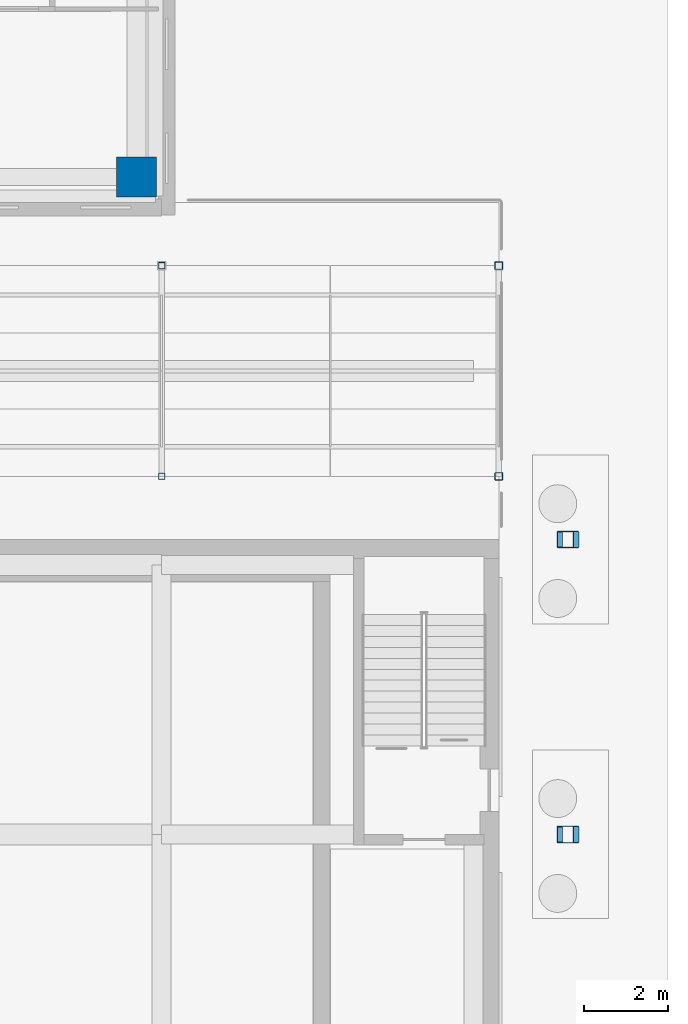
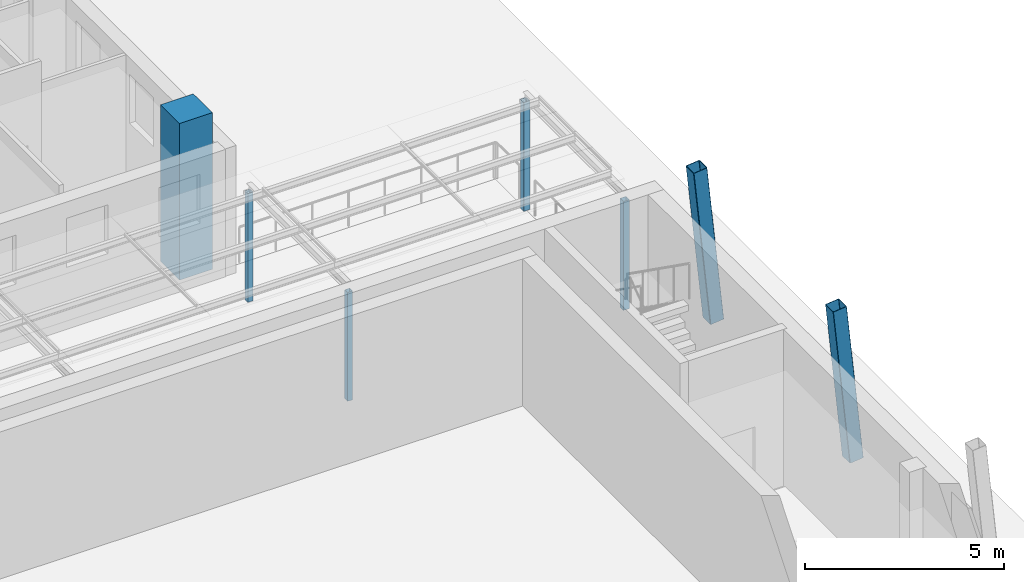
# One storey, part 19 of 144: 7 columns.
"""IFC4 building model written with IfcOpenShell, lengths in metres."""

from ifc_helpers import new_model, si_unit, direction, frame, origin, origin_2d, place, context, subcontext, project, spatial, rectangle, hollow_rectangle, extrude, material, material_profile, profile_set, type_object, element, save


model = new_model("IFC4")

# Units and contexts
model_context = context("Model", 3, precision=1e-05, world=origin(), true_north=direction((0.0, 1.0)))
body_context = subcontext(model_context, "Body", "Model", "MODEL_VIEW")
ifc_project = project(units=[si_unit("LENGTHUNIT", "METRE"), si_unit("AREAUNIT", "SQUARE_METRE"), si_unit("VOLUMEUNIT", "CUBIC_METRE"), si_unit("PLANEANGLEUNIT", "RADIAN"), si_unit("MASSUNIT", "GRAM", prefix="KILO")], contexts=[model_context])

# Site, building, storey
site_placement = place(None, origin())
site = spatial("IfcSite", under=ifc_project, at=site_placement, CompositionType="ELEMENT")
building_placement = place(site_placement, origin())
building = spatial("IfcBuilding", under=site, at=building_placement, Name="Lantern Court Media Centre", CompositionType="ELEMENT")
storey_placement = place(building_placement, origin())
storey = spatial("IfcBuildingStorey", under=building, at=storey_placement, Name="L00", CompositionType="ELEMENT", Elevation=0.0)

# Columns
ifc_material_1 = material(Name="Steel S355J2 (EN 10025-2)", Category="steel")
ifc_material_profile_1 = material_profile(ifc_material_1, hollow_rectangle(XDim=0.179931640625, YDim=0.179931640625, WallThickness=0.008056640625, InnerFilletRadius=0.008056640625, OuterFilletRadius=0.011962890625, at=origin_2d()), Name="Cloister canopy end post SHS 180x8")
ifc_profile_set_1 = profile_set([ifc_material_profile_1], Name="Steel S355J2 (EN 10025-2)")
column_type_1 = type_object("IfcColumnType", Name="Cloister canopy end post SHS 180x8", PredefinedType="COLUMN", material=ifc_profile_set_1)
for number, where, z_axis, x_axis, name in (
    (1, (104.0, 41.5, 0.0), (0.0, 0.0, 1.0), (1.0, 0.0, 0.0), "Cloister post 2-5-1"),
    (2, (104.0, 46.5, 0.0), (0.0, 0.0, 1.0), (1.0, 0.0, 0.0), "Cloister post 2-5-2"),
):
    element("IfcColumn", number, at=place(storey_placement, frame(where, z_axis=z_axis, x_axis=x_axis)), inside=storey, type_object=column_type_1, Name=name, PredefinedType="COLUMN", context=body_context, shape_type="SweptSolid", body=[
        extrude(hollow_rectangle(XDim=0.179931640625, YDim=0.179931640625, WallThickness=0.008056640625, InnerFilletRadius=0.008056640625, OuterFilletRadius=0.011962890625, at=origin_2d()), origin(), (0.0, 0.0, 1.0), 3.330078125),
    ])
ifc_material_profile_2 = material_profile(ifc_material_1, hollow_rectangle(XDim=0.14990234375, YDim=0.14990234375, WallThickness=0.00634765625, InnerFilletRadius=0.00634765625, OuterFilletRadius=0.009521484375, at=origin_2d()), Name="Cloister canopy post SHS 150x6.3")
ifc_profile_set_2 = profile_set([ifc_material_profile_2], Name="Steel S355J2 (EN 10025-2)")
column_type_2 = type_object("IfcColumnType", Name="Cloister canopy post SHS 150x6.3", PredefinedType="COLUMN", material=ifc_profile_set_2)
for number, where, z_axis, x_axis, name in (
    (3, (96.0, 41.5, 0.0), (0.0, 0.0, 1.0), (1.0, 0.0, 0.0), "Cloister post 2-4-1"),
    (4, (96.0, 46.5, 0.0), (0.0, 0.0, 1.0), (1.0, 0.0, 0.0), "Cloister post 2-4-2"),
):
    element("IfcColumn", number, at=place(storey_placement, frame(where, z_axis=z_axis, x_axis=x_axis)), inside=storey, type_object=column_type_2, Name=name, PredefinedType="COLUMN", context=body_context, shape_type="SweptSolid", body=[
        extrude(hollow_rectangle(XDim=0.14990234375, YDim=0.14990234375, WallThickness=0.00634765625, InnerFilletRadius=0.00634765625, OuterFilletRadius=0.009521484375, at=origin_2d()), origin(), (0.0, 0.0, 1.0), 3.330078125),
    ])
ifc_material_2 = material(Name="Concrete C35", Category="concrete")
ifc_material_profile_3 = material_profile(ifc_material_2, rectangle(XDim=0.949951171875, YDim=0.949951171875, at=origin_2d()), Name="RC 950x950")
ifc_profile_set_3 = profile_set([ifc_material_profile_3], Name="Concrete C35")
column_type_3 = type_object("IfcColumnType", Name="RC COLUMN 950x950", PredefinedType="COLUMN", material=ifc_profile_set_3)
column_1_placement = place(storey_placement, frame((95.39990234375, 48.60009765625, 0.0), z_axis=(0.0, 0.0, 1.0), x_axis=(1.0, 0.0, 0.0)))
element("IfcColumn", 5, at=column_1_placement, inside=storey, type_object=column_type_3, Name="C-SE-3-L00", PredefinedType="COLUMN", context=body_context, shape_type="SweptSolid", body=[
    extrude(rectangle(XDim=0.949951171875, YDim=0.949951171875, at=origin_2d()), origin(), (0.0, 0.0, 1.0), 4.800048828125),
])
ifc_material_profile_4 = material_profile(ifc_material_1, hollow_rectangle(XDim=0.39990234375, YDim=0.39990234375, WallThickness=0.012451171875, InnerFilletRadius=0.012451171875, OuterFilletRadius=0.018798828125, at=origin_2d()), Name="Studio Hall buttress column SHS 400x12.5")
ifc_profile_set_4 = profile_set([ifc_material_profile_4], Name="Steel S355J2 (EN 10025-2)")
column_type_4 = type_object("IfcColumnType", Name="Studio Hall buttress column SHS 400x12.5", PredefinedType="COLUMN", material=ifc_profile_set_4)
column_2_placement = place(storey_placement, frame((105.699951171875, 33.0, 0.0), z_axis=(-0.100901453218, 0.0, 0.994896425131), x_axis=(0.0, -1.0, 0.0)))
element("IfcColumn", 6, at=column_2_placement, inside=storey, type_object=column_type_4, Name="Studio Hall buttress east 6", PredefinedType="COLUMN", context=body_context, shape_type="SweptSolid", body=[
    extrude(hollow_rectangle(XDim=0.39990234375, YDim=0.39990234375, WallThickness=0.012451171875, InnerFilletRadius=0.012451171875, OuterFilletRadius=0.018798828125, at=origin_2d()), origin(), (0.0, 0.0, 1.0), 4.82470703125),
])
ifc_material_profile_5 = material_profile(ifc_material_1, hollow_rectangle(XDim=0.39990234375, YDim=0.39990234375, WallThickness=0.01611328125, InnerFilletRadius=0.01611328125, OuterFilletRadius=0.02392578125, at=origin_2d()), Name="Studio Hall gable buttress column SHS 400x16")
ifc_profile_set_5 = profile_set([ifc_material_profile_5], Name="Steel S355J2 (EN 10025-2)")
column_type_5 = type_object("IfcColumnType", Name="Studio Hall gable buttress column SHS 400x16", PredefinedType="COLUMN", material=ifc_profile_set_5)
column_3_placement = place(storey_placement, frame((105.699951171875, 40.0, 0.0), z_axis=(-0.100901453218, 0.0, 0.994896425131), x_axis=(0.0, -1.0, 0.0)))
element("IfcColumn", 7, at=column_3_placement, inside=storey, type_object=column_type_5, Name="Studio Hall buttress east 7", PredefinedType="COLUMN", context=body_context, shape_type="SweptSolid", body=[
    extrude(hollow_rectangle(XDim=0.39990234375, YDim=0.39990234375, WallThickness=0.01611328125, InnerFilletRadius=0.01611328125, OuterFilletRadius=0.02392578125, at=origin_2d()), origin(), (0.0, 0.0, 1.0), 4.82470703125),
])

save(model, "model.ifc")
